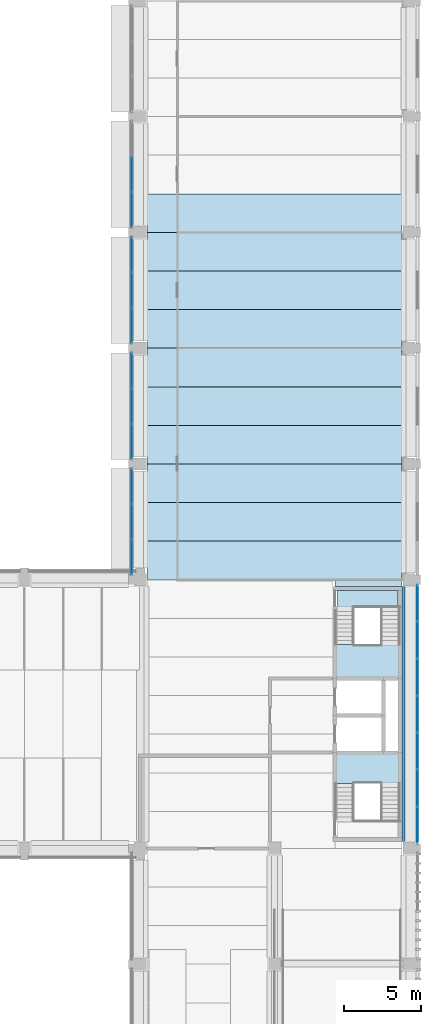
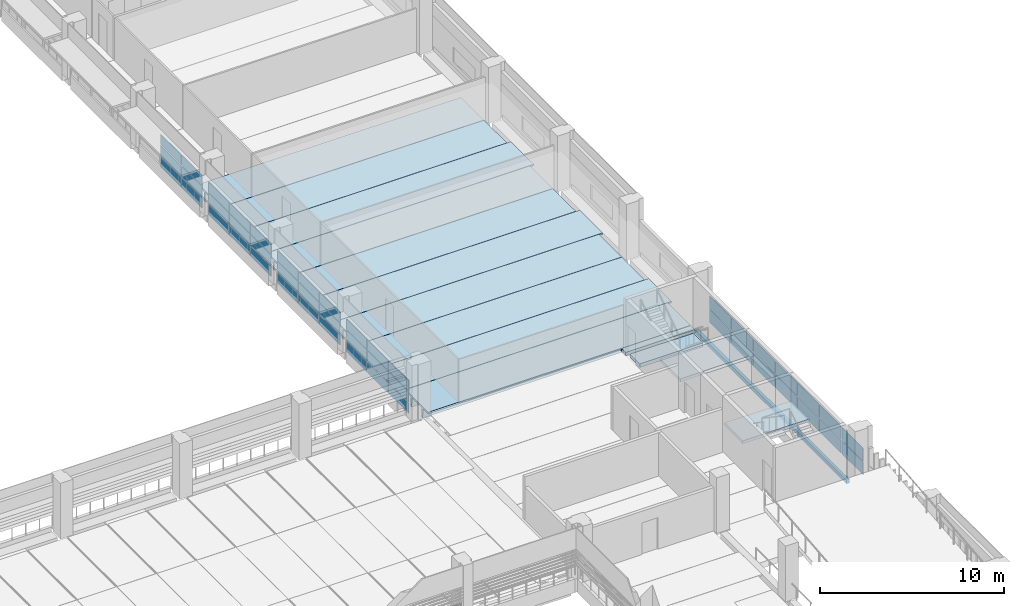
# One storey, part 31 of 61: 47 plates, 15 slabs, 7 elements without a shape of their own.
"""IFC4 building model written with IfcOpenShell, lengths in metres."""

from ifc_helpers import new_model, si_unit, direction, frame, origin, origin_2d, place, context, subcontext, project, spatial, polyline, rectangle, outline, extrude, material, layer, layer_set, material_profile, profile_set, type_object, element, aggregate, save


model = new_model("IFC4")

# Units and contexts
model_context = context("Model", 3, precision=1e-05, world=origin(), true_north=direction((0.0, 1.0)))
body_context = subcontext(model_context, "Body", "Model", "MODEL_VIEW")
ifc_project = project(units=[si_unit("LENGTHUNIT", "METRE"), si_unit("AREAUNIT", "SQUARE_METRE"), si_unit("VOLUMEUNIT", "CUBIC_METRE"), si_unit("PLANEANGLEUNIT", "RADIAN"), si_unit("MASSUNIT", "GRAM", prefix="KILO")], contexts=[model_context])

# Site, building, storey
site_placement = place(None, origin())
site = spatial("IfcSite", under=ifc_project, at=site_placement, CompositionType="ELEMENT")
building_placement = place(site_placement, origin())
building = spatial("IfcBuilding", under=site, at=building_placement, Name="Cour d'Honneur Mobility Palace", CompositionType="ELEMENT")
storey_placement = place(building_placement, frame((0.0, 0.0, 11.89990234375)))
storey = spatial("IfcBuildingStorey", under=building, at=storey_placement, Name="L03", CompositionType="ELEMENT", Elevation=11.89990234375)

# Slabs
ifc_material_1 = material(Name="Concrete C50", Category="concrete")
ifc_layer_1 = layer(ifc_material_1, 0.25)
ifc_layer_set_1 = layer_set([ifc_layer_1], Name="Concrete C50")
slab_type_1 = type_object("IfcSlabType", Name="Cast-in-place Slab 250", PredefinedType="FLOOR", material=ifc_layer_set_1)
slab_1_placement = place(storey_placement, frame((0.0, 0.0, -0.25)))
element("IfcSlab", 1, at=slab_1_placement, inside=storey, type_object=slab_type_1, Name="Cast-in-place slab S1 L03 core", PredefinedType="FLOOR", context=body_context, shape_type="SweptSolid", body=[
    extrude(outline(polyline([(161.85009765625, 61.949951171875), (157.5, 61.949951171875), (157.5, 62.39990234375), (161.85009765625, 62.39990234375), (161.85009765625, 61.949951171875)])), origin(), (0.0, 0.0, 1.0), 0.25),
])
slab_2_placement = place(storey_placement, frame((0.0, 0.0, -0.25)))
element("IfcSlab", 2, at=slab_2_placement, inside=storey, type_object=slab_type_1, Name="Cast-in-place slab S1 L03 core", PredefinedType="FLOOR", context=body_context, shape_type="SweptSolid", body=[
    extrude(outline(polyline([(162.050048828125, 61.949951171875), (162.050048828125, 45.449951171875), (161.85009765625, 45.449951171875), (161.85009765625, 61.949951171875), (162.050048828125, 61.949951171875)])), origin(), (0.0, 0.0, 1.0), 0.25),
])
slab_3_placement = place(storey_placement, frame((0.0, 0.0, -0.25)))
element("IfcSlab", 3, at=slab_3_placement, inside=storey, type_object=slab_type_1, Name="Cast-in-place slab S1 L03 core", PredefinedType="FLOOR", context=body_context, shape_type="SweptSolid", body=[
    extrude(outline(polyline([(161.60009765625, 61.699951171875), (161.60009765625, 60.625), (157.625, 60.625), (157.625, 61.699951171875), (161.60009765625, 61.699951171875)])), origin(), (0.0, 0.0, 1.0), 0.25),
])

# Curtain wall, plates
ifc_material_2 = material(Name="Aluminium and glass", Category="aluminium")
ifc_layer_2 = layer(ifc_material_2, 0.10009765625)
ifc_layer_set_2 = layer_set([ifc_layer_2], Name="Aluminium and glass")
curtain_wall_type = type_object("IfcCurtainWallType", Name="Curtain wall run", PredefinedType="NOTDEFINED", material=ifc_layer_set_2)
curtain_wall_1_placement = place(storey_placement, origin())
curtain_wall_1 = element("IfcCurtainWall", 4, at=curtain_wall_1_placement, inside=storey, type_object=curtain_wall_type, Name="Curtain wall CW-61", PredefinedType="NOTDEFINED")
ifc_material_3 = material(Name="Double glazing", Category="glass")
ifc_layer_3 = layer(ifc_material_3, 0.028076171875)
ifc_layer_set_3 = layer_set([ifc_layer_3], Name="Double glazing")
plate_type = type_object("IfcPlateType", Name="Curtain wall panel", PredefinedType="CURTAIN_PANEL", material=ifc_layer_set_3)
plate_1_placement = place(storey_placement, frame((144.35009765625, 88.64990234375, 0.06005859375), z_axis=(0.0, 0.0, 1.0), x_axis=(0.0, -1.0, 0.0)))
plate_1 = element("IfcPlate", 5, at=plate_1_placement, type_object=plate_type, Name="CW-61 panel 2.1", PredefinedType="CURTAIN_PANEL", context=body_context, shape_type="SweptSolid", body=[
    extrude(rectangle(XDim=2.239990234375, YDim=0.028076171875, at=origin_2d()), origin(), (0.0, 0.0, 1.0), 0.6767578125),
])
plate_2_placement = place(storey_placement, frame((144.35009765625, 88.64990234375, 0.796875), z_axis=(0.0, 0.0, 1.0), x_axis=(0.0, -1.0, 0.0)))
plate_2 = element("IfcPlate", 6, at=plate_2_placement, type_object=plate_type, Name="CW-61 panel 2.2", PredefinedType="CURTAIN_PANEL", context=body_context, shape_type="SweptSolid", body=[
    extrude(rectangle(XDim=2.239990234375, YDim=0.028076171875, at=origin_2d()), origin(), (0.0, 0.0, 1.0), 0.706787109375),
])
plate_3_placement = place(storey_placement, frame((144.35009765625, 88.64990234375, 1.5634765625), z_axis=(0.0, 0.0, 1.0), x_axis=(0.0, -1.0, 0.0)))
plate_3 = element("IfcPlate", 7, at=plate_3_placement, type_object=plate_type, Name="CW-61 panel 2.3", PredefinedType="CURTAIN_PANEL", context=body_context, shape_type="SweptSolid", body=[
    extrude(rectangle(XDim=2.239990234375, YDim=0.028076171875, at=origin_2d()), origin(), (0.0, 0.0, 1.0), 0.6767578125),
])
plate_4_placement = place(storey_placement, frame((144.35009765625, 86.364990234375, 0.06005859375), z_axis=(0.0, 0.0, 1.0), x_axis=(0.0, -1.0, 0.0)))
plate_4 = element("IfcPlate", 8, at=plate_4_placement, type_object=plate_type, Name="CW-61 panel 3.1", PredefinedType="CURTAIN_PANEL", context=body_context, shape_type="SweptSolid", body=[
    extrude(rectangle(XDim=2.2099609375, YDim=0.028076171875, at=origin_2d()), origin(), (0.0, 0.0, 1.0), 0.6767578125),
])
plate_5_placement = place(storey_placement, frame((144.35009765625, 86.364990234375, 0.796875), z_axis=(0.0, 0.0, 1.0), x_axis=(0.0, -1.0, 0.0)))
plate_5 = element("IfcPlate", 9, at=plate_5_placement, type_object=plate_type, Name="CW-61 panel 3.2", PredefinedType="CURTAIN_PANEL", context=body_context, shape_type="SweptSolid", body=[
    extrude(rectangle(XDim=2.2099609375, YDim=0.028076171875, at=origin_2d()), origin(), (0.0, 0.0, 1.0), 0.706787109375),
])
plate_6_placement = place(storey_placement, frame((144.35009765625, 86.364990234375, 1.5634765625), z_axis=(0.0, 0.0, 1.0), x_axis=(0.0, -1.0, 0.0)))
plate_6 = element("IfcPlate", 10, at=plate_6_placement, type_object=plate_type, Name="CW-61 panel 3.3", PredefinedType="CURTAIN_PANEL", context=body_context, shape_type="SweptSolid", body=[
    extrude(rectangle(XDim=2.2099609375, YDim=0.028076171875, at=origin_2d()), origin(), (0.0, 0.0, 1.0), 0.6767578125),
])
aggregate(curtain_wall_1, [plate_1, plate_2, plate_3, plate_4, plate_5, plate_6])

curtain_wall_2_placement = place(storey_placement, origin())
curtain_wall_2 = element("IfcCurtainWall", 11, at=curtain_wall_2_placement, inside=storey, type_object=curtain_wall_type, Name="Curtain wall CW-62", PredefinedType="NOTDEFINED")
plate_7_placement = place(storey_placement, frame((144.35009765625, 83.43505859375, 0.06005859375), z_axis=(0.0, 0.0, 1.0), x_axis=(0.0, -1.0, 0.0)))
plate_7 = element("IfcPlate", 12, at=plate_7_placement, type_object=plate_type, Name="CW-62 panel 1.1", PredefinedType="CURTAIN_PANEL", context=body_context, shape_type="SweptSolid", body=[
    extrude(rectangle(XDim=2.2099609375, YDim=0.028076171875, at=origin_2d()), origin(), (0.0, 0.0, 1.0), 0.6767578125),
])
plate_8_placement = place(storey_placement, frame((144.35009765625, 83.43505859375, 0.796875), z_axis=(0.0, 0.0, 1.0), x_axis=(0.0, -1.0, 0.0)))
plate_8 = element("IfcPlate", 13, at=plate_8_placement, type_object=plate_type, Name="CW-62 panel 1.2", PredefinedType="CURTAIN_PANEL", context=body_context, shape_type="SweptSolid", body=[
    extrude(rectangle(XDim=2.2099609375, YDim=0.028076171875, at=origin_2d()), origin(), (0.0, 0.0, 1.0), 0.706787109375),
])
plate_9_placement = place(storey_placement, frame((144.35009765625, 83.43505859375, 1.5634765625), z_axis=(0.0, 0.0, 1.0), x_axis=(0.0, -1.0, 0.0)))
plate_9 = element("IfcPlate", 14, at=plate_9_placement, type_object=plate_type, Name="CW-62 panel 1.3", PredefinedType="CURTAIN_PANEL", context=body_context, shape_type="SweptSolid", body=[
    extrude(rectangle(XDim=2.2099609375, YDim=0.028076171875, at=origin_2d()), origin(), (0.0, 0.0, 1.0), 0.6767578125),
])
plate_10_placement = place(storey_placement, frame((144.35009765625, 81.14990234375, 0.06005859375), z_axis=(0.0, 0.0, 1.0), x_axis=(0.0, -1.0, 0.0)))
plate_10 = element("IfcPlate", 15, at=plate_10_placement, type_object=plate_type, Name="CW-62 panel 2.1", PredefinedType="CURTAIN_PANEL", context=body_context, shape_type="SweptSolid", body=[
    extrude(rectangle(XDim=2.239990234375, YDim=0.028076171875, at=origin_2d()), origin(), (0.0, 0.0, 1.0), 0.6767578125),
])
plate_11_placement = place(storey_placement, frame((144.35009765625, 81.14990234375, 0.796875), z_axis=(0.0, 0.0, 1.0), x_axis=(0.0, -1.0, 0.0)))
plate_11 = element("IfcPlate", 16, at=plate_11_placement, type_object=plate_type, Name="CW-62 panel 2.2", PredefinedType="CURTAIN_PANEL", context=body_context, shape_type="SweptSolid", body=[
    extrude(rectangle(XDim=2.239990234375, YDim=0.028076171875, at=origin_2d()), origin(), (0.0, 0.0, 1.0), 0.706787109375),
])
plate_12_placement = place(storey_placement, frame((144.35009765625, 81.14990234375, 1.5634765625), z_axis=(0.0, 0.0, 1.0), x_axis=(0.0, -1.0, 0.0)))
plate_12 = element("IfcPlate", 17, at=plate_12_placement, type_object=plate_type, Name="CW-62 panel 2.3", PredefinedType="CURTAIN_PANEL", context=body_context, shape_type="SweptSolid", body=[
    extrude(rectangle(XDim=2.239990234375, YDim=0.028076171875, at=origin_2d()), origin(), (0.0, 0.0, 1.0), 0.6767578125),
])
plate_13_placement = place(storey_placement, frame((144.35009765625, 78.864990234375, 0.06005859375), z_axis=(0.0, 0.0, 1.0), x_axis=(0.0, -1.0, 0.0)))
plate_13 = element("IfcPlate", 18, at=plate_13_placement, type_object=plate_type, Name="CW-62 panel 3.1", PredefinedType="CURTAIN_PANEL", context=body_context, shape_type="SweptSolid", body=[
    extrude(rectangle(XDim=2.2099609375, YDim=0.028076171875, at=origin_2d()), origin(), (0.0, 0.0, 1.0), 0.6767578125),
])
plate_14_placement = place(storey_placement, frame((144.35009765625, 78.864990234375, 0.796875), z_axis=(0.0, 0.0, 1.0), x_axis=(0.0, -1.0, 0.0)))
plate_14 = element("IfcPlate", 19, at=plate_14_placement, type_object=plate_type, Name="CW-62 panel 3.2", PredefinedType="CURTAIN_PANEL", context=body_context, shape_type="SweptSolid", body=[
    extrude(rectangle(XDim=2.2099609375, YDim=0.028076171875, at=origin_2d()), origin(), (0.0, 0.0, 1.0), 0.706787109375),
])
plate_15_placement = place(storey_placement, frame((144.35009765625, 78.864990234375, 1.5634765625), z_axis=(0.0, 0.0, 1.0), x_axis=(0.0, -1.0, 0.0)))
plate_15 = element("IfcPlate", 20, at=plate_15_placement, type_object=plate_type, Name="CW-62 panel 3.3", PredefinedType="CURTAIN_PANEL", context=body_context, shape_type="SweptSolid", body=[
    extrude(rectangle(XDim=2.2099609375, YDim=0.028076171875, at=origin_2d()), origin(), (0.0, 0.0, 1.0), 0.6767578125),
])
aggregate(curtain_wall_2, [plate_7, plate_8, plate_9, plate_10, plate_11, plate_12, plate_13, plate_14, plate_15])

curtain_wall_3_placement = place(storey_placement, origin())
curtain_wall_3 = element("IfcCurtainWall", 21, at=curtain_wall_3_placement, inside=storey, type_object=curtain_wall_type, Name="Curtain wall CW-63", PredefinedType="NOTDEFINED")
plate_16_placement = place(storey_placement, frame((144.35009765625, 75.93505859375, 0.06005859375), z_axis=(0.0, 0.0, 1.0), x_axis=(0.0, -1.0, 0.0)))
plate_16 = element("IfcPlate", 22, at=plate_16_placement, type_object=plate_type, Name="CW-63 panel 1.1", PredefinedType="CURTAIN_PANEL", context=body_context, shape_type="SweptSolid", body=[
    extrude(rectangle(XDim=2.2099609375, YDim=0.028076171875, at=origin_2d()), origin(), (0.0, 0.0, 1.0), 0.6767578125),
])
plate_17_placement = place(storey_placement, frame((144.35009765625, 75.93505859375, 0.796875), z_axis=(0.0, 0.0, 1.0), x_axis=(0.0, -1.0, 0.0)))
plate_17 = element("IfcPlate", 23, at=plate_17_placement, type_object=plate_type, Name="CW-63 panel 1.2", PredefinedType="CURTAIN_PANEL", context=body_context, shape_type="SweptSolid", body=[
    extrude(rectangle(XDim=2.2099609375, YDim=0.028076171875, at=origin_2d()), origin(), (0.0, 0.0, 1.0), 0.706787109375),
])
plate_18_placement = place(storey_placement, frame((144.35009765625, 75.93505859375, 1.5634765625), z_axis=(0.0, 0.0, 1.0), x_axis=(0.0, -1.0, 0.0)))
plate_18 = element("IfcPlate", 24, at=plate_18_placement, type_object=plate_type, Name="CW-63 panel 1.3", PredefinedType="CURTAIN_PANEL", context=body_context, shape_type="SweptSolid", body=[
    extrude(rectangle(XDim=2.2099609375, YDim=0.028076171875, at=origin_2d()), origin(), (0.0, 0.0, 1.0), 0.6767578125),
])
plate_19_placement = place(storey_placement, frame((144.35009765625, 73.64990234375, 0.06005859375), z_axis=(0.0, 0.0, 1.0), x_axis=(0.0, -1.0, 0.0)))
plate_19 = element("IfcPlate", 25, at=plate_19_placement, type_object=plate_type, Name="CW-63 panel 2.1", PredefinedType="CURTAIN_PANEL", context=body_context, shape_type="SweptSolid", body=[
    extrude(rectangle(XDim=2.239990234375, YDim=0.028076171875, at=origin_2d()), origin(), (0.0, 0.0, 1.0), 0.6767578125),
])
plate_20_placement = place(storey_placement, frame((144.35009765625, 73.64990234375, 0.796875), z_axis=(0.0, 0.0, 1.0), x_axis=(0.0, -1.0, 0.0)))
plate_20 = element("IfcPlate", 26, at=plate_20_placement, type_object=plate_type, Name="CW-63 panel 2.2", PredefinedType="CURTAIN_PANEL", context=body_context, shape_type="SweptSolid", body=[
    extrude(rectangle(XDim=2.239990234375, YDim=0.028076171875, at=origin_2d()), origin(), (0.0, 0.0, 1.0), 0.706787109375),
])
plate_21_placement = place(storey_placement, frame((144.35009765625, 73.64990234375, 1.5634765625), z_axis=(0.0, 0.0, 1.0), x_axis=(0.0, -1.0, 0.0)))
plate_21 = element("IfcPlate", 27, at=plate_21_placement, type_object=plate_type, Name="CW-63 panel 2.3", PredefinedType="CURTAIN_PANEL", context=body_context, shape_type="SweptSolid", body=[
    extrude(rectangle(XDim=2.239990234375, YDim=0.028076171875, at=origin_2d()), origin(), (0.0, 0.0, 1.0), 0.6767578125),
])
plate_22_placement = place(storey_placement, frame((144.35009765625, 71.364990234375, 0.06005859375), z_axis=(0.0, 0.0, 1.0), x_axis=(0.0, -1.0, 0.0)))
plate_22 = element("IfcPlate", 28, at=plate_22_placement, type_object=plate_type, Name="CW-63 panel 3.1", PredefinedType="CURTAIN_PANEL", context=body_context, shape_type="SweptSolid", body=[
    extrude(rectangle(XDim=2.2099609375, YDim=0.028076171875, at=origin_2d()), origin(), (0.0, 0.0, 1.0), 0.6767578125),
])
plate_23_placement = place(storey_placement, frame((144.35009765625, 71.364990234375, 0.796875), z_axis=(0.0, 0.0, 1.0), x_axis=(0.0, -1.0, 0.0)))
plate_23 = element("IfcPlate", 29, at=plate_23_placement, type_object=plate_type, Name="CW-63 panel 3.2", PredefinedType="CURTAIN_PANEL", context=body_context, shape_type="SweptSolid", body=[
    extrude(rectangle(XDim=2.2099609375, YDim=0.028076171875, at=origin_2d()), origin(), (0.0, 0.0, 1.0), 0.706787109375),
])
plate_24_placement = place(storey_placement, frame((144.35009765625, 71.364990234375, 1.5634765625), z_axis=(0.0, 0.0, 1.0), x_axis=(0.0, -1.0, 0.0)))
plate_24 = element("IfcPlate", 30, at=plate_24_placement, type_object=plate_type, Name="CW-63 panel 3.3", PredefinedType="CURTAIN_PANEL", context=body_context, shape_type="SweptSolid", body=[
    extrude(rectangle(XDim=2.2099609375, YDim=0.028076171875, at=origin_2d()), origin(), (0.0, 0.0, 1.0), 0.6767578125),
])
aggregate(curtain_wall_3, [plate_16, plate_17, plate_18, plate_19, plate_20, plate_21, plate_22, plate_23, plate_24])

curtain_wall_4_placement = place(storey_placement, origin())
curtain_wall_4 = element("IfcCurtainWall", 31, at=curtain_wall_4_placement, inside=storey, type_object=curtain_wall_type, Name="Curtain wall CW-64", PredefinedType="NOTDEFINED")
plate_25_placement = place(storey_placement, frame((144.35009765625, 68.43505859375, 0.06005859375), z_axis=(0.0, 0.0, 1.0), x_axis=(0.0, -1.0, 0.0)))
plate_25 = element("IfcPlate", 32, at=plate_25_placement, type_object=plate_type, Name="CW-64 panel 1.1", PredefinedType="CURTAIN_PANEL", context=body_context, shape_type="SweptSolid", body=[
    extrude(rectangle(XDim=2.2099609375, YDim=0.028076171875, at=origin_2d()), origin(), (0.0, 0.0, 1.0), 0.6767578125),
])
plate_26_placement = place(storey_placement, frame((144.35009765625, 68.43505859375, 0.796875), z_axis=(0.0, 0.0, 1.0), x_axis=(0.0, -1.0, 0.0)))
plate_26 = element("IfcPlate", 33, at=plate_26_placement, type_object=plate_type, Name="CW-64 panel 1.2", PredefinedType="CURTAIN_PANEL", context=body_context, shape_type="SweptSolid", body=[
    extrude(rectangle(XDim=2.2099609375, YDim=0.028076171875, at=origin_2d()), origin(), (0.0, 0.0, 1.0), 0.706787109375),
])
plate_27_placement = place(storey_placement, frame((144.35009765625, 68.43505859375, 1.5634765625), z_axis=(0.0, 0.0, 1.0), x_axis=(0.0, -1.0, 0.0)))
plate_27 = element("IfcPlate", 34, at=plate_27_placement, type_object=plate_type, Name="CW-64 panel 1.3", PredefinedType="CURTAIN_PANEL", context=body_context, shape_type="SweptSolid", body=[
    extrude(rectangle(XDim=2.2099609375, YDim=0.028076171875, at=origin_2d()), origin(), (0.0, 0.0, 1.0), 0.6767578125),
])
plate_28_placement = place(storey_placement, frame((144.35009765625, 66.14990234375, 0.06005859375), z_axis=(0.0, 0.0, 1.0), x_axis=(0.0, -1.0, 0.0)))
plate_28 = element("IfcPlate", 35, at=plate_28_placement, type_object=plate_type, Name="CW-64 panel 2.1", PredefinedType="CURTAIN_PANEL", context=body_context, shape_type="SweptSolid", body=[
    extrude(rectangle(XDim=2.239990234375, YDim=0.028076171875, at=origin_2d()), origin(), (0.0, 0.0, 1.0), 0.6767578125),
])
plate_29_placement = place(storey_placement, frame((144.35009765625, 66.14990234375, 0.796875), z_axis=(0.0, 0.0, 1.0), x_axis=(0.0, -1.0, 0.0)))
plate_29 = element("IfcPlate", 36, at=plate_29_placement, type_object=plate_type, Name="CW-64 panel 2.2", PredefinedType="CURTAIN_PANEL", context=body_context, shape_type="SweptSolid", body=[
    extrude(rectangle(XDim=2.239990234375, YDim=0.028076171875, at=origin_2d()), origin(), (0.0, 0.0, 1.0), 0.706787109375),
])
plate_30_placement = place(storey_placement, frame((144.35009765625, 66.14990234375, 1.5634765625), z_axis=(0.0, 0.0, 1.0), x_axis=(0.0, -1.0, 0.0)))
plate_30 = element("IfcPlate", 37, at=plate_30_placement, type_object=plate_type, Name="CW-64 panel 2.3", PredefinedType="CURTAIN_PANEL", context=body_context, shape_type="SweptSolid", body=[
    extrude(rectangle(XDim=2.239990234375, YDim=0.028076171875, at=origin_2d()), origin(), (0.0, 0.0, 1.0), 0.6767578125),
])
plate_31_placement = place(storey_placement, frame((144.35009765625, 63.864990234375, 0.06005859375), z_axis=(0.0, 0.0, 1.0), x_axis=(0.0, -1.0, 0.0)))
plate_31 = element("IfcPlate", 38, at=plate_31_placement, type_object=plate_type, Name="CW-64 panel 3.1", PredefinedType="CURTAIN_PANEL", context=body_context, shape_type="SweptSolid", body=[
    extrude(rectangle(XDim=2.2099609375, YDim=0.028076171875, at=origin_2d()), origin(), (0.0, 0.0, 1.0), 0.6767578125),
])
plate_32_placement = place(storey_placement, frame((144.35009765625, 63.864990234375, 0.796875), z_axis=(0.0, 0.0, 1.0), x_axis=(0.0, -1.0, 0.0)))
plate_32 = element("IfcPlate", 39, at=plate_32_placement, type_object=plate_type, Name="CW-64 panel 3.2", PredefinedType="CURTAIN_PANEL", context=body_context, shape_type="SweptSolid", body=[
    extrude(rectangle(XDim=2.2099609375, YDim=0.028076171875, at=origin_2d()), origin(), (0.0, 0.0, 1.0), 0.706787109375),
])
plate_33_placement = place(storey_placement, frame((144.35009765625, 63.864990234375, 1.5634765625), z_axis=(0.0, 0.0, 1.0), x_axis=(0.0, -1.0, 0.0)))
plate_33 = element("IfcPlate", 40, at=plate_33_placement, type_object=plate_type, Name="CW-64 panel 3.3", PredefinedType="CURTAIN_PANEL", context=body_context, shape_type="SweptSolid", body=[
    extrude(rectangle(XDim=2.2099609375, YDim=0.028076171875, at=origin_2d()), origin(), (0.0, 0.0, 1.0), 0.6767578125),
])
aggregate(curtain_wall_4, [plate_25, plate_26, plate_27, plate_28, plate_29, plate_30, plate_31, plate_32, plate_33])

curtain_wall_5_placement = place(storey_placement, origin())
curtain_wall_5 = element("IfcCurtainWall", 41, at=curtain_wall_5_placement, inside=storey, type_object=curtain_wall_type, Name="Curtain wall CW-89", PredefinedType="NOTDEFINED")
plate_34_placement = place(storey_placement, frame((162.85009765625, 46.514892578125, 0.06005859375), z_axis=(0.0, 0.0, 1.0), x_axis=(0.0, 1.0, 0.0)))
plate_34 = element("IfcPlate", 42, at=plate_34_placement, type_object=plate_type, Name="CW-89 panel 1.1", PredefinedType="CURTAIN_PANEL", context=body_context, shape_type="SweptSolid", body=[
    extrude(rectangle(XDim=2.31005859375, YDim=0.028076171875, at=origin_2d()), origin(), (0.0, 0.0, 1.0), 0.860107421875),
])
plate_35_placement = place(storey_placement, frame((162.85009765625, 46.514892578125, 0.97998046875), z_axis=(0.0, 0.0, 1.0), x_axis=(0.0, 1.0, 0.0)))
plate_35 = element("IfcPlate", 43, at=plate_35_placement, type_object=plate_type, Name="CW-89 panel 1.2", PredefinedType="CURTAIN_PANEL", context=body_context, shape_type="SweptSolid", body=[
    extrude(rectangle(XDim=2.31005859375, YDim=0.028076171875, at=origin_2d()), origin(), (0.0, 0.0, 1.0), 0.860107421875),
])
plate_36_placement = place(storey_placement, frame((162.85009765625, 48.89990234375, 0.06005859375), z_axis=(0.0, 0.0, 1.0), x_axis=(0.0, 1.0, 0.0)))
plate_36 = element("IfcPlate", 44, at=plate_36_placement, type_object=plate_type, Name="CW-89 panel 2.1", PredefinedType="CURTAIN_PANEL", context=body_context, shape_type="SweptSolid", body=[
    extrude(rectangle(XDim=2.340087890625, YDim=0.028076171875, at=origin_2d()), origin(), (0.0, 0.0, 1.0), 0.860107421875),
])
plate_37_placement = place(storey_placement, frame((162.85009765625, 48.89990234375, 0.97998046875), z_axis=(0.0, 0.0, 1.0), x_axis=(0.0, 1.0, 0.0)))
plate_37 = element("IfcPlate", 45, at=plate_37_placement, type_object=plate_type, Name="CW-89 panel 2.2", PredefinedType="CURTAIN_PANEL", context=body_context, shape_type="SweptSolid", body=[
    extrude(rectangle(XDim=2.340087890625, YDim=0.028076171875, at=origin_2d()), origin(), (0.0, 0.0, 1.0), 0.860107421875),
])
plate_38_placement = place(storey_placement, frame((162.85009765625, 51.300048828125, 0.06005859375), z_axis=(0.0, 0.0, 1.0), x_axis=(0.0, 1.0, 0.0)))
plate_38 = element("IfcPlate", 46, at=plate_38_placement, type_object=plate_type, Name="CW-89 panel 3.1", PredefinedType="CURTAIN_PANEL", context=body_context, shape_type="SweptSolid", body=[
    extrude(rectangle(XDim=2.340087890625, YDim=0.028076171875, at=origin_2d()), origin(), (0.0, 0.0, 1.0), 0.860107421875),
])
plate_39_placement = place(storey_placement, frame((162.85009765625, 51.300048828125, 0.97998046875), z_axis=(0.0, 0.0, 1.0), x_axis=(0.0, 1.0, 0.0)))
plate_39 = element("IfcPlate", 47, at=plate_39_placement, type_object=plate_type, Name="CW-89 panel 3.2", PredefinedType="CURTAIN_PANEL", context=body_context, shape_type="SweptSolid", body=[
    extrude(rectangle(XDim=2.340087890625, YDim=0.028076171875, at=origin_2d()), origin(), (0.0, 0.0, 1.0), 0.860107421875),
])
plate_40_placement = place(storey_placement, frame((162.85009765625, 53.699951171875, 0.06005859375), z_axis=(0.0, 0.0, 1.0), x_axis=(0.0, 1.0, 0.0)))
plate_40 = element("IfcPlate", 48, at=plate_40_placement, type_object=plate_type, Name="CW-89 panel 4.1", PredefinedType="CURTAIN_PANEL", context=body_context, shape_type="SweptSolid", body=[
    extrude(rectangle(XDim=2.340087890625, YDim=0.028076171875, at=origin_2d()), origin(), (0.0, 0.0, 1.0), 0.860107421875),
])
plate_41_placement = place(storey_placement, frame((162.85009765625, 53.699951171875, 0.97998046875), z_axis=(0.0, 0.0, 1.0), x_axis=(0.0, 1.0, 0.0)))
plate_41 = element("IfcPlate", 49, at=plate_41_placement, type_object=plate_type, Name="CW-89 panel 4.2", PredefinedType="CURTAIN_PANEL", context=body_context, shape_type="SweptSolid", body=[
    extrude(rectangle(XDim=2.340087890625, YDim=0.028076171875, at=origin_2d()), origin(), (0.0, 0.0, 1.0), 0.860107421875),
])
plate_42_placement = place(storey_placement, frame((162.85009765625, 56.10009765625, 0.06005859375), z_axis=(0.0, 0.0, 1.0), x_axis=(0.0, 1.0, 0.0)))
plate_42 = element("IfcPlate", 50, at=plate_42_placement, type_object=plate_type, Name="CW-89 panel 5.1", PredefinedType="CURTAIN_PANEL", context=body_context, shape_type="SweptSolid", body=[
    extrude(rectangle(XDim=2.340087890625, YDim=0.028076171875, at=origin_2d()), origin(), (0.0, 0.0, 1.0), 0.860107421875),
])
plate_43_placement = place(storey_placement, frame((162.85009765625, 56.10009765625, 0.97998046875), z_axis=(0.0, 0.0, 1.0), x_axis=(0.0, 1.0, 0.0)))
plate_43 = element("IfcPlate", 51, at=plate_43_placement, type_object=plate_type, Name="CW-89 panel 5.2", PredefinedType="CURTAIN_PANEL", context=body_context, shape_type="SweptSolid", body=[
    extrude(rectangle(XDim=2.340087890625, YDim=0.028076171875, at=origin_2d()), origin(), (0.0, 0.0, 1.0), 0.860107421875),
])
plate_44_placement = place(storey_placement, frame((162.85009765625, 58.5, 0.06005859375), z_axis=(0.0, 0.0, 1.0), x_axis=(0.0, 1.0, 0.0)))
plate_44 = element("IfcPlate", 52, at=plate_44_placement, type_object=plate_type, Name="CW-89 panel 6.1", PredefinedType="CURTAIN_PANEL", context=body_context, shape_type="SweptSolid", body=[
    extrude(rectangle(XDim=2.340087890625, YDim=0.028076171875, at=origin_2d()), origin(), (0.0, 0.0, 1.0), 0.860107421875),
])
plate_45_placement = place(storey_placement, frame((162.85009765625, 58.5, 0.97998046875), z_axis=(0.0, 0.0, 1.0), x_axis=(0.0, 1.0, 0.0)))
plate_45 = element("IfcPlate", 53, at=plate_45_placement, type_object=plate_type, Name="CW-89 panel 6.2", PredefinedType="CURTAIN_PANEL", context=body_context, shape_type="SweptSolid", body=[
    extrude(rectangle(XDim=2.340087890625, YDim=0.028076171875, at=origin_2d()), origin(), (0.0, 0.0, 1.0), 0.860107421875),
])
plate_46_placement = place(storey_placement, frame((162.85009765625, 60.885009765625, 0.06005859375), z_axis=(0.0, 0.0, 1.0), x_axis=(0.0, 1.0, 0.0)))
plate_46 = element("IfcPlate", 54, at=plate_46_placement, type_object=plate_type, Name="CW-89 panel 7.1", PredefinedType="CURTAIN_PANEL", context=body_context, shape_type="SweptSolid", body=[
    extrude(rectangle(XDim=2.31005859375, YDim=0.028076171875, at=origin_2d()), origin(), (0.0, 0.0, 1.0), 0.860107421875),
])
plate_47_placement = place(storey_placement, frame((162.85009765625, 60.885009765625, 0.97998046875), z_axis=(0.0, 0.0, 1.0), x_axis=(0.0, 1.0, 0.0)))
plate_47 = element("IfcPlate", 55, at=plate_47_placement, type_object=plate_type, Name="CW-89 panel 7.2", PredefinedType="CURTAIN_PANEL", context=body_context, shape_type="SweptSolid", body=[
    extrude(rectangle(XDim=2.31005859375, YDim=0.028076171875, at=origin_2d()), origin(), (0.0, 0.0, 1.0), 0.860107421875),
])
aggregate(curtain_wall_5, [plate_34, plate_35, plate_36, plate_37, plate_38, plate_39, plate_40, plate_41, plate_42, plate_43, plate_44, plate_45, plate_46, plate_47])

# Slabs
ifc_material_4 = material(Name="Concrete C45", Category="concrete")
ifc_material_profile = material_profile(ifc_material_4, outline(polyline([(-1.2451171875, 0.0), (1.2451171875, 0.0), (1.2451171875, -0.10009765625), (0.679931640625, -0.10009765625), (0.64990234375, -0.75), (0.550048828125, -0.75), (0.52001953125, -0.10009765625), (-0.52001953125, -0.10009765625), (-0.550048828125, -0.75), (-0.64990234375, -0.75), (-0.679931640625, -0.10009765625), (-1.2451171875, -0.10009765625), (-1.2451171875, 0.0)])), Name="DT 2490x750")
ifc_profile_set = profile_set([ifc_material_profile], Name="Concrete C45")
slab_type_2 = type_object("IfcSlabType", Name="DT 2490x750", PredefinedType="FLOOR", material=ifc_profile_set)
slab_4_placement = place(storey_placement, frame((145.35009765625, 63.64990234375, 0.0), z_axis=(1.0, 0.0, 0.0), x_axis=(0.0, 1.0, 0.0)))
element("IfcSlab", 56, at=slab_4_placement, inside=storey, type_object=slab_type_2, Name="Double tee DT-NE1 L03", PredefinedType="FLOOR", context=body_context, shape_type="SweptSolid", body=[
    extrude(outline(polyline([(-1.2451171875, 0.0), (1.2451171875, 0.0), (1.2451171875, -0.10009765625), (0.679931640625, -0.10009765625), (0.64990234375, -0.75), (0.550048828125, -0.75), (0.52001953125, -0.10009765625), (-0.52001953125, -0.10009765625), (-0.550048828125, -0.75), (-0.64990234375, -0.75), (-0.679931640625, -0.10009765625), (-1.2451171875, -0.10009765625), (-1.2451171875, 0.0)])), origin(), (0.0, 0.0, 1.0), 16.5),
])
slab_5_placement = place(storey_placement, frame((145.10009765625, 66.14990234375, 0.0), z_axis=(1.0, 0.0, 0.0), x_axis=(0.0, 1.0, 0.0)))
element("IfcSlab", 57, at=slab_5_placement, inside=storey, type_object=slab_type_2, Name="Double tee DT-NE2 L03", PredefinedType="FLOOR", context=body_context, shape_type="SweptSolid", body=[
    extrude(outline(polyline([(-1.2451171875, 0.0), (1.2451171875, 0.0), (1.2451171875, -0.10009765625), (0.679931640625, -0.10009765625), (0.64990234375, -0.75), (0.550048828125, -0.75), (0.52001953125, -0.10009765625), (-0.52001953125, -0.10009765625), (-0.550048828125, -0.75), (-0.64990234375, -0.75), (-0.679931640625, -0.10009765625), (-1.2451171875, -0.10009765625), (-1.2451171875, 0.0)])), origin(), (0.0, 0.0, 1.0), 17.0),
])
for number, where, z_axis, x_axis, name in (
    (58, (145.35009765625, 68.64990234375, 0.0), (1.0, 0.0, 0.0), (0.0, 1.0, 0.0), "Double tee DT-NE3 L03"),
    (59, (145.35009765625, 71.14990234375, 0.0), (1.0, 0.0, 0.0), (0.0, 1.0, 0.0), "Double tee DT-NE4 L03"),
):
    element("IfcSlab", number, at=place(storey_placement, frame(where, z_axis=z_axis, x_axis=x_axis)), inside=storey, type_object=slab_type_2, Name=name, PredefinedType="FLOOR", context=body_context, shape_type="SweptSolid", body=[
        extrude(outline(polyline([(-1.2451171875, 0.0), (1.2451171875, 0.0), (1.2451171875, -0.10009765625), (0.679931640625, -0.10009765625), (0.64990234375, -0.75), (0.550048828125, -0.75), (0.52001953125, -0.10009765625), (-0.52001953125, -0.10009765625), (-0.550048828125, -0.75), (-0.64990234375, -0.75), (-0.679931640625, -0.10009765625), (-1.2451171875, -0.10009765625), (-1.2451171875, 0.0)])), origin(), (0.0, 0.0, 1.0), 16.5),
    ])
slab_6_placement = place(storey_placement, frame((145.10009765625, 73.64990234375, 0.0), z_axis=(1.0, 0.0, 0.0), x_axis=(0.0, 1.0, 0.0)))
element("IfcSlab", 60, at=slab_6_placement, inside=storey, type_object=slab_type_2, Name="Double tee DT-NE5 L03", PredefinedType="FLOOR", context=body_context, shape_type="SweptSolid", body=[
    extrude(outline(polyline([(-1.2451171875, 0.0), (1.2451171875, 0.0), (1.2451171875, -0.10009765625), (0.679931640625, -0.10009765625), (0.64990234375, -0.75), (0.550048828125, -0.75), (0.52001953125, -0.10009765625), (-0.52001953125, -0.10009765625), (-0.550048828125, -0.75), (-0.64990234375, -0.75), (-0.679931640625, -0.10009765625), (-1.2451171875, -0.10009765625), (-1.2451171875, 0.0)])), origin(), (0.0, 0.0, 1.0), 17.0),
])
for number, where, z_axis, x_axis, name in (
    (61, (145.35009765625, 76.14990234375, 0.0), (1.0, 0.0, 0.0), (0.0, 1.0, 0.0), "Double tee DT-NE6 L03"),
    (62, (145.35009765625, 78.64990234375, 0.0), (1.0, 0.0, 0.0), (0.0, 1.0, 0.0), "Double tee DT-NE7 L03"),
):
    element("IfcSlab", number, at=place(storey_placement, frame(where, z_axis=z_axis, x_axis=x_axis)), inside=storey, type_object=slab_type_2, Name=name, PredefinedType="FLOOR", context=body_context, shape_type="SweptSolid", body=[
        extrude(outline(polyline([(-1.2451171875, 0.0), (1.2451171875, 0.0), (1.2451171875, -0.10009765625), (0.679931640625, -0.10009765625), (0.64990234375, -0.75), (0.550048828125, -0.75), (0.52001953125, -0.10009765625), (-0.52001953125, -0.10009765625), (-0.550048828125, -0.75), (-0.64990234375, -0.75), (-0.679931640625, -0.10009765625), (-1.2451171875, -0.10009765625), (-1.2451171875, 0.0)])), origin(), (0.0, 0.0, 1.0), 16.5),
    ])
slab_7_placement = place(storey_placement, frame((145.10009765625, 81.14990234375, 0.0), z_axis=(1.0, 0.0, 0.0), x_axis=(0.0, 1.0, 0.0)))
element("IfcSlab", 63, at=slab_7_placement, inside=storey, type_object=slab_type_2, Name="Double tee DT-NE8 L03", PredefinedType="FLOOR", context=body_context, shape_type="SweptSolid", body=[
    extrude(outline(polyline([(-1.2451171875, 0.0), (1.2451171875, 0.0), (1.2451171875, -0.10009765625), (0.679931640625, -0.10009765625), (0.64990234375, -0.75), (0.550048828125, -0.75), (0.52001953125, -0.10009765625), (-0.52001953125, -0.10009765625), (-0.550048828125, -0.75), (-0.64990234375, -0.75), (-0.679931640625, -0.10009765625), (-1.2451171875, -0.10009765625), (-1.2451171875, 0.0)])), origin(), (0.0, 0.0, 1.0), 17.0),
])
for number, where, z_axis, x_axis, name in (
    (64, (145.35009765625, 83.64990234375, 0.0), (1.0, 0.0, 0.0), (0.0, 1.0, 0.0), "Double tee DT-NE9 L03"),
    (65, (145.35009765625, 86.14990234375, 0.0), (1.0, 0.0, 0.0), (0.0, 1.0, 0.0), "Double tee DT-NE10 L03"),
):
    element("IfcSlab", number, at=place(storey_placement, frame(where, z_axis=z_axis, x_axis=x_axis)), inside=storey, type_object=slab_type_2, Name=name, PredefinedType="FLOOR", context=body_context, shape_type="SweptSolid", body=[
        extrude(outline(polyline([(-1.2451171875, 0.0), (1.2451171875, 0.0), (1.2451171875, -0.10009765625), (0.679931640625, -0.10009765625), (0.64990234375, -0.75), (0.550048828125, -0.75), (0.52001953125, -0.10009765625), (-0.52001953125, -0.10009765625), (-0.550048828125, -0.75), (-0.64990234375, -0.75), (-0.679931640625, -0.10009765625), (-1.2451171875, -0.10009765625), (-1.2451171875, 0.0)])), origin(), (0.0, 0.0, 1.0), 16.5),
    ])

# Stair, slab
ifc_material_5 = material(Name="Concrete C50", Category="concrete")
stair_type = type_object("IfcStairType", Name="Stair 20 risers", PredefinedType="HALF_TURN_STAIR", material=ifc_material_5)
stair_1_placement = place(storey_placement, origin())
stair_1 = element("IfcStair", 66, at=stair_1_placement, inside=storey, type_object=stair_type, Name="Stair ST-CE1", PredefinedType="HALF_TURN_STAIR")
ifc_material_6 = material(Name="Concrete C50", Category="concrete")
ifc_layer_4 = layer(ifc_material_6, 0.199951171875)
ifc_layer_set_4 = layer_set([ifc_layer_4], Name="Concrete C50")
slab_type_3 = type_object("IfcSlabType", Name="Stair landing", PredefinedType="LANDING", material=ifc_layer_set_4)
slab_8_placement = place(storey_placement, frame((0.0, 0.0, 1.650146484375)))
slab_8 = element("IfcSlab", 67, at=slab_8_placement, type_object=slab_type_3, Name="ST-CE1 landing 1", PredefinedType="LANDING", context=body_context, shape_type="SweptSolid", body=[
    extrude(outline(polyline([(157.5, 49.205078125), (161.72509765625, 49.205078125), (161.72509765625, 51.199951171875), (157.5, 51.199951171875), (157.5, 49.205078125)])), origin(), (0.0, 0.0, 1.0), 0.199951171875),
])
aggregate(stair_1, [slab_8])

stair_2_placement = place(storey_placement, origin())
stair_2 = element("IfcStair", 68, at=stair_2_placement, inside=storey, type_object=stair_type, Name="Stair ST-CE2", PredefinedType="HALF_TURN_STAIR")
slab_9_placement = place(storey_placement, frame((0.0, 0.0, 1.650146484375)))
slab_9 = element("IfcSlab", 69, at=slab_9_placement, type_object=slab_type_3, Name="ST-CE2 landing 1", PredefinedType="LANDING", context=body_context, shape_type="SweptSolid", body=[
    extrude(outline(polyline([(157.5, 56.0), (161.72509765625, 56.0), (161.72509765625, 58.195068359375), (157.5, 58.195068359375), (157.5, 56.0)])), origin(), (0.0, 0.0, 1.0), 0.199951171875),
])
aggregate(stair_2, [slab_9])

save(model, "model.ifc")
